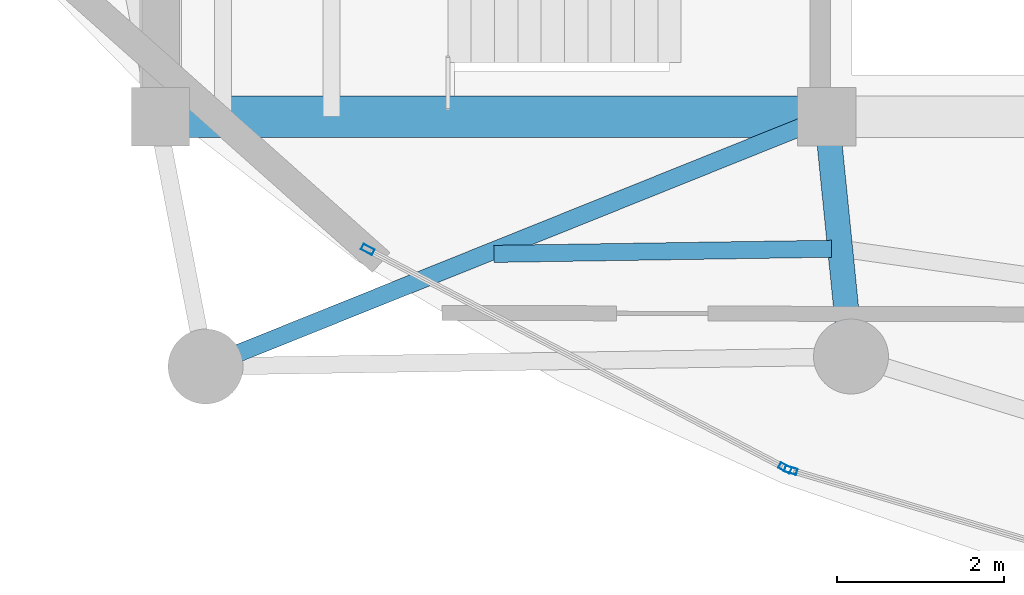
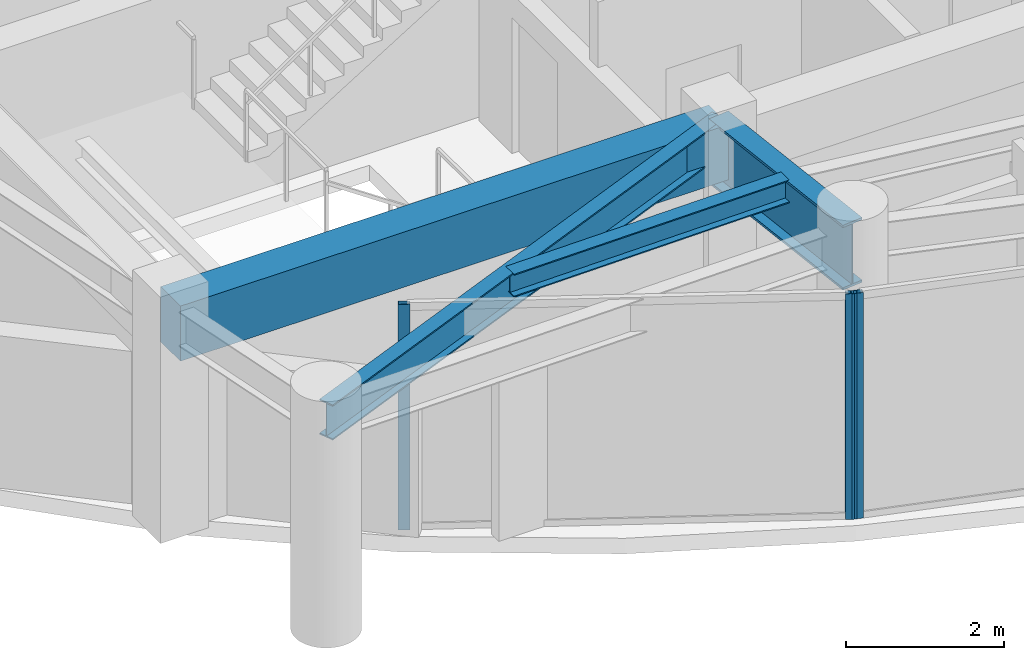
# One storey, part 2 of 29: 4 beams, 3 members, 2 elements without a shape of their own.
"""IFC4 building model written with IfcOpenShell, lengths in metres."""

from ifc_helpers import new_model, si_unit, direction, frame, origin, origin_2d, place, context, subcontext, project, spatial, rectangle, hollow_rectangle, i_section, extrude, material, layer, layer_set, material_profile, profile_set, type_object, element, aggregate, save


model = new_model("IFC4")

# Units and contexts
model_context = context("Model", 3, precision=1e-05, world=origin(), true_north=direction((0.0, 1.0)))
body_context = subcontext(model_context, "Body", "Model", "MODEL_VIEW")
ifc_project = project(units=[si_unit("LENGTHUNIT", "METRE"), si_unit("AREAUNIT", "SQUARE_METRE"), si_unit("VOLUMEUNIT", "CUBIC_METRE"), si_unit("PLANEANGLEUNIT", "RADIAN"), si_unit("MASSUNIT", "GRAM", prefix="KILO")], contexts=[model_context])

# Site, building, storey
site_placement = place(None, origin())
site = spatial("IfcSite", under=ifc_project, at=site_placement, CompositionType="ELEMENT")
building_placement = place(site_placement, origin())
building = spatial("IfcBuilding", under=site, at=building_placement, Name="Kazevale Care Tower and Concert Hall", CompositionType="ELEMENT")
storey_placement = place(building_placement, frame((0.0, 0.0, 289.0)))
storey = spatial("IfcBuildingStorey", under=building, at=storey_placement, Name="L76", CompositionType="ELEMENT", Elevation=289.0)

# Curtain wall, member
ifc_material_1 = material(Name="Aluminium 6063-T6 and Low-E Glass", Category="aluminium")
ifc_layer = layer(ifc_material_1, 0.179931640625)
ifc_layer_set = layer_set([ifc_layer], Name="Aluminium 6063-T6 and Low-E Glass")
curtain_wall_type = type_object("IfcCurtainWallType", Name="Sheltered Concave Balcony Curtain Wall CW-5", PredefinedType="NOTDEFINED", material=ifc_layer_set)
curtain_wall_1_placement = place(storey_placement, origin())
curtain_wall_1 = element("IfcCurtainWall", 1, at=curtain_wall_1_placement, inside=storey, type_object=curtain_wall_type, Name="cw:L76:f08", PredefinedType="NOTDEFINED")
ifc_material_2 = material(Name="Aluminium 6063-T6", Category="aluminium")
ifc_material_profile_1 = material_profile(ifc_material_2, hollow_rectangle(XDim=0.074951171875, YDim=0.14990234375, WallThickness=0.00390625, at=origin_2d()), Name="ALU75x150x4")
ifc_profile_set_1 = profile_set([ifc_material_profile_1], Name="Aluminium 6063-T6")
member_type = type_object("IfcMemberType", Name="CW-5 Mullion ALU75x150x4", PredefinedType="MULLION", material=ifc_profile_set_1)
member_1_placement = place(storey_placement, frame((29.56689453125, 19.3544921875, 0.0), z_axis=(0.0, 0.0, 1.0), x_axis=(-0.283202506274, -0.959060133902, 0.0)))
member_1 = element("IfcMember", 2, at=member_1_placement, type_object=member_type, Name="CW-5 mullion 2", PredefinedType="MULLION", context=body_context, shape_type="SweptSolid", body=[
    extrude(hollow_rectangle(XDim=0.074951171875, YDim=0.14990234375, WallThickness=0.00390625, at=origin_2d()), origin(), (0.0, 0.0, 1.0), 3.47998046875),
])
aggregate(curtain_wall_1, [member_1])

# Curtain wall, members
curtain_wall_2_placement = place(storey_placement, origin())
curtain_wall_2 = element("IfcCurtainWall", 3, at=curtain_wall_2_placement, inside=storey, type_object=curtain_wall_type, Name="cw:L76:f09", PredefinedType="NOTDEFINED")
member_2_placement = place(storey_placement, frame((29.497802734375, 19.38232421875, 0.0), z_axis=(0.0, 0.0, 1.0), x_axis=(-0.463680915912, -0.886002261972, 0.0)))
member_2 = element("IfcMember", 4, at=member_2_placement, type_object=member_type, Name="CW-5 mullion 1", PredefinedType="MULLION", context=body_context, shape_type="SweptSolid", body=[
    extrude(hollow_rectangle(XDim=0.074951171875, YDim=0.14990234375, WallThickness=0.00390625, at=origin_2d()), origin(), (0.0, 0.0, 1.0), 3.47998046875),
])
member_3_placement = place(storey_placement, frame((24.4873046875, 22.004638671875, 0.0), z_axis=(0.0, 0.0, 1.0), x_axis=(-0.463680915912, -0.886002261972, 0.0)))
member_3 = element("IfcMember", 5, at=member_3_placement, type_object=member_type, Name="CW-5 mullion 2", PredefinedType="MULLION", context=body_context, shape_type="SweptSolid", body=[
    extrude(hollow_rectangle(XDim=0.074951171875, YDim=0.14990234375, WallThickness=0.00390625, at=origin_2d()), origin(), (0.0, 0.0, 1.0), 3.47998046875),
])
aggregate(curtain_wall_2, [member_2, member_3])

# Beams
ifc_material_3 = material(Name="Concrete C60", Category="concrete")
ifc_material_profile_2 = material_profile(ifc_material_3, rectangle(XDim=0.5, YDim=0.85009765625, at=origin_2d()), Name="RC-B500x850")
ifc_profile_set_2 = profile_set([ifc_material_profile_2], Name="Concrete C60")
beam_type_1 = type_object("IfcBeamType", Name="Core Coupling Beam RC500x850", PredefinedType="LINTEL", material=ifc_profile_set_2)
beam_1_placement = place(storey_placement, frame((22.0, 23.60009765625, 3.054931640625), z_axis=(1.0, 0.0, 0.0), x_axis=(0.0, 1.0, 0.0)))
element("IfcBeam", 6, at=beam_1_placement, inside=storey, type_object=beam_type_1, Name="beam:L76:coretie:1", PredefinedType="LINTEL", context=body_context, shape_type="SweptSolid", body=[
    extrude(rectangle(XDim=0.5, YDim=0.85009765625, at=origin_2d()), origin(), (0.0, 0.0, 1.0), 8.0),
])
ifc_material_4 = material(Name="Steel ASTM A572 Gr 50", Category="steel")
ifc_material_profile_3 = material_profile(ifc_material_4, i_section(OverallWidth=0.300048828125, OverallDepth=1.0, WebThickness=0.02099609375, FlangeThickness=0.035888671875, at=origin_2d()), Name="W1000x371")
ifc_profile_set_3 = profile_set([ifc_material_profile_3], Name="Steel ASTM A572 Gr 50")
beam_type_2 = type_object("IfcBeamType", Name="Crown Radial Girder W1000x371", PredefinedType="BEAM", material=ifc_profile_set_3)
beam_2_placement = place(storey_placement, frame((30.0, 23.60009765625, 2.97998046875), z_axis=(0.100196792003, -0.994967639108, 0.0), x_axis=(0.994967639108, 0.100196792003, 0.0)))
element("IfcBeam", 7, at=beam_2_placement, inside=storey, type_object=beam_type_2, Name="beam:L76:crowntg:4", PredefinedType="BEAM", context=body_context, shape_type="SweptSolid", body=[
    extrude(i_section(OverallWidth=0.300048828125, OverallDepth=1.0, WebThickness=0.02099609375, FlangeThickness=0.035888671875, at=origin_2d()), origin(), (0.0, 0.0, 1.0), 2.894775390625),
])
ifc_material_profile_4 = material_profile(ifc_material_4, i_section(OverallWidth=0.2119140625, OverallDepth=0.5439453125, WebThickness=0.01318359375, FlangeThickness=0.021240234375, at=origin_2d()), Name="W530x123")
ifc_profile_set_4 = profile_set([ifc_material_profile_4], Name="Steel ASTM A572 Gr 50")
beam_type_3 = type_object("IfcBeamType", Name="Radial Floor Girder W530x123", PredefinedType="BEAM", material=ifc_profile_set_4)
beam_3_placement = place(storey_placement, frame((30.0, 23.60009765625, 3.2080078125), z_axis=(-0.927788258921, -0.373107151644, 0.0), x_axis=(0.373107151644, -0.927788258921, 0.0)))
element("IfcBeam", 8, at=beam_3_placement, inside=storey, type_object=beam_type_3, Name="beam:L76:rad:10", PredefinedType="BEAM", context=body_context, shape_type="SweptSolid", body=[
    extrude(i_section(OverallWidth=0.2119140625, OverallDepth=0.5439453125, WebThickness=0.01318359375, FlangeThickness=0.021240234375, at=origin_2d()), origin(), (0.0, 0.0, 1.0), 8.04052734375),
])
ifc_material_profile_5 = material_profile(ifc_material_4, i_section(OverallWidth=0.205078125, OverallDepth=0.35400390625, WebThickness=0.009521484375, FlangeThickness=0.016845703125, at=origin_2d()), Name="W360x79")
ifc_profile_set_5 = profile_set([ifc_material_profile_5], Name="Steel ASTM A572 Gr 50")
beam_type_4 = type_object("IfcBeamType", Name="Secondary Floor Joist W360x79", PredefinedType="JOIST", material=ifc_profile_set_5)
beam_4_placement = place(storey_placement, frame((26.001953125, 21.951904296875, 3.302978515625), z_axis=(0.999882971215, 0.015298492542, 0.0), x_axis=(-0.015298492542, 0.999882971215, 0.0)))
element("IfcBeam", 9, at=beam_4_placement, inside=storey, type_object=beam_type_4, Name="beam:L76:joist:10", PredefinedType="JOIST", context=body_context, shape_type="SweptSolid", body=[
    extrude(i_section(OverallWidth=0.205078125, OverallDepth=0.35400390625, WebThickness=0.009521484375, FlangeThickness=0.016845703125, at=origin_2d()), origin(), (0.0, 0.0, 1.0), 4.053466796875),
])

save(model, "model.ifc")
